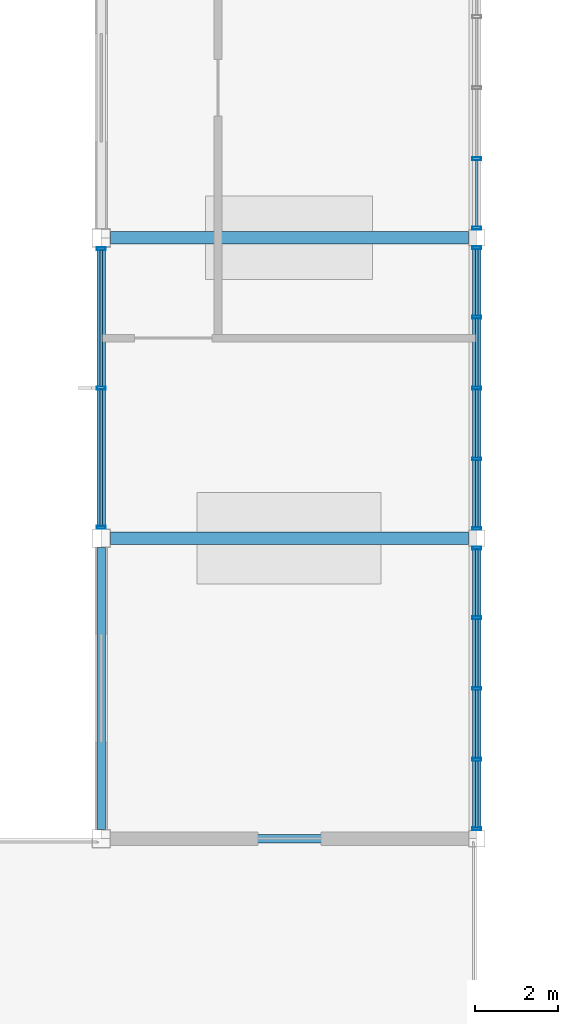
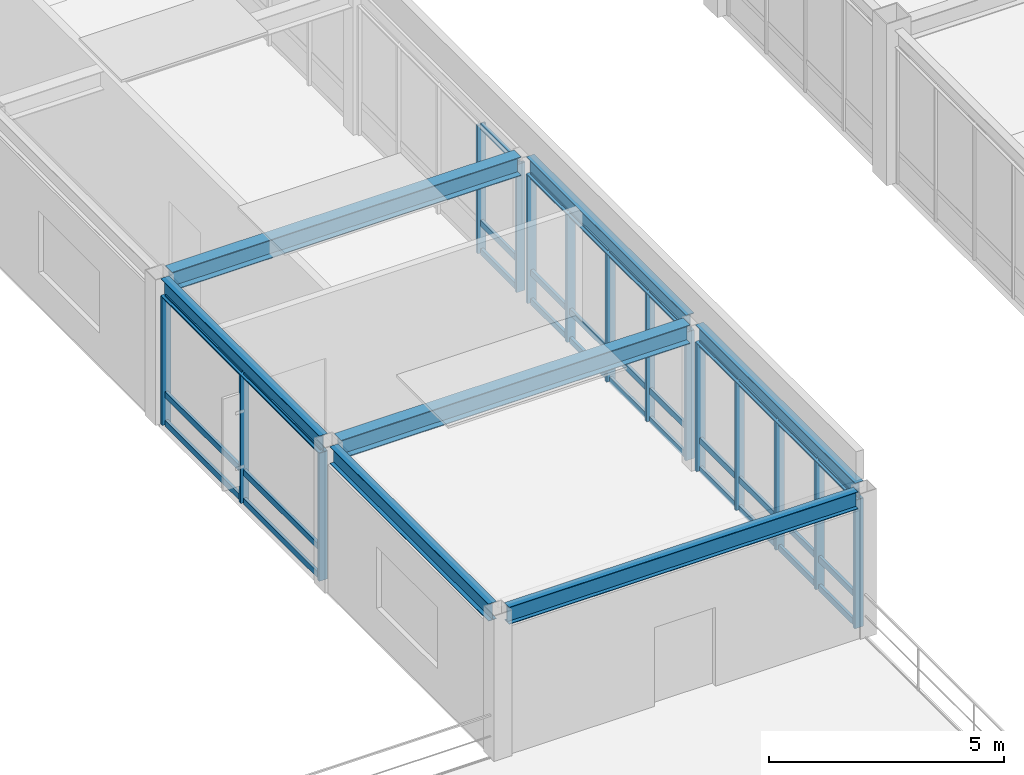
# One storey, part 29 of 106: 48 members, 7 beams, 4 elements without a shape of their own.
"""IFC4 building model written with IfcOpenShell, lengths in metres."""

from ifc_helpers import new_model, si_unit, direction, frame, origin, origin_2d, place, context, subcontext, project, spatial, hollow_rectangle, i_section, extrude, material, material_profile, profile_set, type_object, element, aggregate, save


model = new_model("IFC4")

# Units and contexts
model_context = context("Model", 3, precision=1e-05, world=origin(), true_north=direction((0.0, 1.0)))
body_context = subcontext(model_context, "Body", "Model", "MODEL_VIEW")
ifc_project = project(units=[si_unit("LENGTHUNIT", "METRE"), si_unit("AREAUNIT", "SQUARE_METRE"), si_unit("VOLUMEUNIT", "CUBIC_METRE"), si_unit("PLANEANGLEUNIT", "RADIAN"), si_unit("MASSUNIT", "GRAM", prefix="KILO")], contexts=[model_context])

# Site, building, storey
site_placement = place(None, origin())
site = spatial("IfcSite", under=ifc_project, at=site_placement, CompositionType="ELEMENT")
building_placement = place(site_placement, origin())
building = spatial("IfcBuilding", under=site, at=building_placement, Name="Kazanami Central Library", CompositionType="ELEMENT")
storey_placement = place(building_placement, frame((0.0, 0.0, 12.800048828125)))
storey = spatial("IfcBuildingStorey", under=building, at=storey_placement, Name="L04", CompositionType="ELEMENT", Elevation=12.800048828125)

# Beams
ifc_material_1 = material(Name="Steel SN490B (325 MPa)", Category="steel")
ifc_material_profile_1 = material_profile(ifc_material_1, i_section(OverallWidth=0.300048828125, OverallDepth=0.488037109375, WebThickness=0.010986328125, FlangeThickness=0.01806640625, at=origin_2d()), Name="H-488x300x11x18")
ifc_profile_set_1 = profile_set([ifc_material_profile_1], Name="Steel SN490B (325 MPa)")
beam_type_1 = type_object("IfcBeamType", Name="BM-G-X5", PredefinedType="BEAM", material=ifc_profile_set_1)
for number, where, z_axis, x_axis, name in (
    (1, (99.222900390625, 43.199951171875, 3.535888671875), (1.0, 0.0, 0.0), (0.0, 1.0, 0.0), "Girder G-X5 L04 G/12-13"),
    (2, (99.222900390625, 50.39990234375, 3.535888671875), (1.0, 0.0, 0.0), (0.0, 1.0, 0.0), "Girder G-X5 L04 H/12-13"),
):
    element("IfcBeam", number, at=place(storey_placement, frame(where, z_axis=z_axis, x_axis=x_axis)), inside=storey, type_object=beam_type_1, Name=name, PredefinedType="BEAM", context=body_context, shape_type="SweptSolid", body=[
        extrude(i_section(OverallWidth=0.300048828125, OverallDepth=0.488037109375, WebThickness=0.010986328125, FlangeThickness=0.01806640625, at=origin_2d()), origin(), (0.0, 0.0, 1.0), 8.5791015625),
    ])
ifc_material_profile_2 = material_profile(ifc_material_1, i_section(OverallWidth=0.199951171875, OverallDepth=0.449951171875, WebThickness=0.009033203125, FlangeThickness=0.013916015625, at=origin_2d()), Name="H-450x200x9x14")
ifc_profile_set_2 = profile_set([ifc_material_profile_2], Name="Steel SN490B (325 MPa)")
beam_type_2 = type_object("IfcBeamType", Name="BM-SP-2", PredefinedType="SPANDREL", material=ifc_profile_set_2)
beam_1_placement = place(storey_placement, frame((99.222900390625, 36.0, 3.554931640625), z_axis=(1.0, 0.0, 0.0), x_axis=(0.0, 1.0, 0.0)))
element("IfcBeam", 3, at=beam_1_placement, inside=storey, type_object=beam_type_2, Name="Girder SP-2 L04 F/12-13", PredefinedType="SPANDREL", context=body_context, shape_type="SweptSolid", body=[
    extrude(i_section(OverallWidth=0.199951171875, OverallDepth=0.449951171875, WebThickness=0.009033203125, FlangeThickness=0.013916015625, at=origin_2d()), origin(), (0.0, 0.0, 1.0), 8.5791015625),
])
beam_2_placement = place(storey_placement, frame((99.0, 36.222900390625, 3.554931640625), z_axis=(0.0, 1.0, 0.0), x_axis=(-1.0, 0.0, 0.0)))
element("IfcBeam", 4, at=beam_2_placement, inside=storey, type_object=beam_type_2, Name="Girder SP-2 L04 12/F-G", PredefinedType="SPANDREL", context=body_context, shape_type="SweptSolid", body=[
    extrude(i_section(OverallWidth=0.199951171875, OverallDepth=0.449951171875, WebThickness=0.009033203125, FlangeThickness=0.013916015625, at=origin_2d()), origin(), (0.0, 0.0, 1.0), 6.754150390625),
])
beam_3_placement = place(storey_placement, frame((99.0, 43.423095703125, 3.554931640625), z_axis=(0.0, 1.0, 0.0), x_axis=(-1.0, 0.0, 0.0)))
element("IfcBeam", 5, at=beam_3_placement, inside=storey, type_object=beam_type_2, Name="Girder SP-2 L04 12/G-H", PredefinedType="SPANDREL", context=body_context, shape_type="SweptSolid", body=[
    extrude(i_section(OverallWidth=0.199951171875, OverallDepth=0.449951171875, WebThickness=0.009033203125, FlangeThickness=0.013916015625, at=origin_2d()), origin(), (0.0, 0.0, 1.0), 6.75390625),
])
for number, where, z_axis, x_axis, name in (
    (6, (108.0, 36.197998046875, 3.554931640625), (0.0, 1.0, 0.0), (-1.0, 0.0, 0.0), "Girder SP-2 L04 13/F-G"),
    (7, (108.0, 43.39794921875, 3.554931640625), (0.0, 1.0, 0.0), (-1.0, 0.0, 0.0), "Girder SP-2 L04 13/G-H"),
):
    element("IfcBeam", number, at=place(storey_placement, frame(where, z_axis=z_axis, x_axis=x_axis)), inside=storey, type_object=beam_type_2, Name=name, PredefinedType="SPANDREL", context=body_context, shape_type="SweptSolid", body=[
        extrude(i_section(OverallWidth=0.199951171875, OverallDepth=0.449951171875, WebThickness=0.009033203125, FlangeThickness=0.013916015625, at=origin_2d()), origin(), (0.0, 0.0, 1.0), 6.803955078125),
    ])

# Curtain wall, members
ifc_material_2 = material(Name="Acid-Etched Low-E Laminated Glass", Category="glass")
curtain_wall_type_1 = type_object("IfcCurtainWallType", Name="CW-6750x3330-M275", PredefinedType="USERDEFINED", material=ifc_material_2)
curtain_wall_1_placement = place(storey_placement, origin())
curtain_wall_1 = element("IfcCurtainWall", 8, at=curtain_wall_1_placement, inside=storey, type_object=curtain_wall_type_1, Name="Unitised Curtain Wall CW-45 L04 W-12-06", ObjectType="UNITISED CURTAIN WALL", PredefinedType="USERDEFINED")
ifc_material_3 = material(Name="Anodised Aluminium A6063-T5", Category="aluminium")
ifc_material_profile_3 = material_profile(ifc_material_3, hollow_rectangle(XDim=0.070068359375, YDim=0.2099609375, WallThickness=0.0048828125, at=origin_2d()), Name="ALU-MULL-70x210x5")
ifc_profile_set_3 = profile_set([ifc_material_profile_3], Name="Anodised Aluminium A6063-T5")
member_type_1 = type_object("IfcMemberType", Name="MEM-CW-M1", PredefinedType="MULLION", material=ifc_profile_set_3)
member_1_placement = place(storey_placement, frame((99.0, 43.4599609375, 0.0), z_axis=(0.0, 0.0, 1.0), x_axis=(0.0, 1.0, 0.0)))
member_1 = element("IfcMember", 9, at=member_1_placement, type_object=member_type_1, Name="CW-45 mullion 1", PredefinedType="MULLION", context=body_context, shape_type="SweptSolid", body=[
    extrude(hollow_rectangle(XDim=0.070068359375, YDim=0.2099609375, WallThickness=0.0048828125, at=origin_2d()), origin(), (0.0, 0.0, 1.0), 3.329833984375),
])
member_2_placement = place(storey_placement, frame((99.0, 46.800048828125, 0.0), z_axis=(0.0, 0.0, 1.0), x_axis=(0.0, 1.0, 0.0)))
member_2 = element("IfcMember", 10, at=member_2_placement, type_object=member_type_1, Name="CW-45 mullion 2", PredefinedType="MULLION", context=body_context, shape_type="SweptSolid", body=[
    extrude(hollow_rectangle(XDim=0.070068359375, YDim=0.2099609375, WallThickness=0.0048828125, at=origin_2d()), origin(), (0.0, 0.0, 1.0), 3.329833984375),
])
member_3_placement = place(storey_placement, frame((99.0, 50.139892578125, 0.0), z_axis=(0.0, 0.0, 1.0), x_axis=(0.0, 1.0, 0.0)))
member_3 = element("IfcMember", 11, at=member_3_placement, type_object=member_type_1, Name="CW-45 mullion 3", PredefinedType="MULLION", context=body_context, shape_type="SweptSolid", body=[
    extrude(hollow_rectangle(XDim=0.070068359375, YDim=0.2099609375, WallThickness=0.0048828125, at=origin_2d()), origin(), (0.0, 0.0, 1.0), 3.329833984375),
])

curtain_wall_type_2 = type_object("IfcCurtainWallType", Name="CW-6800x3330-M180", PredefinedType="USERDEFINED", material=ifc_material_2)
curtain_wall_2_placement = place(storey_placement, origin())
curtain_wall_2 = element("IfcCurtainWall", 12, at=curtain_wall_2_placement, inside=storey, type_object=curtain_wall_type_2, Name="Covered Link Bridge Curtain Wall CW-44 L04 E-13-05", ObjectType="UNITISED CURTAIN WALL", PredefinedType="USERDEFINED")
member_4_placement = place(storey_placement, frame((108.0, 42.965087890625, 0.0), z_axis=(0.0, 0.0, 1.0), x_axis=(0.0, -1.0, 0.0)))
member_4 = element("IfcMember", 13, at=member_4_placement, type_object=member_type_1, Name="CW-44 mullion 1", PredefinedType="MULLION", context=body_context, shape_type="SweptSolid", body=[
    extrude(hollow_rectangle(XDim=0.070068359375, YDim=0.2099609375, WallThickness=0.0048828125, at=origin_2d()), origin(), (0.0, 0.0, 1.0), 3.329833984375),
])
member_5_placement = place(storey_placement, frame((108.0, 41.300048828125, 0.0), z_axis=(0.0, 0.0, 1.0), x_axis=(0.0, -1.0, 0.0)))
member_5 = element("IfcMember", 14, at=member_5_placement, type_object=member_type_1, Name="CW-44 mullion 2", PredefinedType="MULLION", context=body_context, shape_type="SweptSolid", body=[
    extrude(hollow_rectangle(XDim=0.070068359375, YDim=0.2099609375, WallThickness=0.0048828125, at=origin_2d()), origin(), (0.0, 0.0, 1.0), 3.329833984375),
])
member_6_placement = place(storey_placement, frame((108.0, 39.60009765625, 0.0), z_axis=(0.0, 0.0, 1.0), x_axis=(0.0, -1.0, 0.0)))
member_6 = element("IfcMember", 15, at=member_6_placement, type_object=member_type_1, Name="CW-44 mullion 3", PredefinedType="MULLION", context=body_context, shape_type="SweptSolid", body=[
    extrude(hollow_rectangle(XDim=0.070068359375, YDim=0.2099609375, WallThickness=0.0048828125, at=origin_2d()), origin(), (0.0, 0.0, 1.0), 3.329833984375),
])
member_7_placement = place(storey_placement, frame((108.0, 37.89990234375, 0.0), z_axis=(0.0, 0.0, 1.0), x_axis=(0.0, -1.0, 0.0)))
member_7 = element("IfcMember", 16, at=member_7_placement, type_object=member_type_1, Name="CW-44 mullion 4", PredefinedType="MULLION", context=body_context, shape_type="SweptSolid", body=[
    extrude(hollow_rectangle(XDim=0.070068359375, YDim=0.2099609375, WallThickness=0.0048828125, at=origin_2d()), origin(), (0.0, 0.0, 1.0), 3.329833984375),
])
member_8_placement = place(storey_placement, frame((108.0, 36.235107421875, 0.0), z_axis=(0.0, 0.0, 1.0), x_axis=(0.0, -1.0, 0.0)))
member_8 = element("IfcMember", 17, at=member_8_placement, type_object=member_type_1, Name="CW-44 mullion 5", PredefinedType="MULLION", context=body_context, shape_type="SweptSolid", body=[
    extrude(hollow_rectangle(XDim=0.070068359375, YDim=0.2099609375, WallThickness=0.0048828125, at=origin_2d()), origin(), (0.0, 0.0, 1.0), 3.329833984375),
])

curtain_wall_3_placement = place(storey_placement, origin())
curtain_wall_3 = element("IfcCurtainWall", 18, at=curtain_wall_3_placement, inside=storey, type_object=curtain_wall_type_2, Name="Covered Link Bridge Curtain Wall CW-44 L04 E-13-06", ObjectType="UNITISED CURTAIN WALL", PredefinedType="USERDEFINED")
member_9_placement = place(storey_placement, frame((108.0, 50.1650390625, 0.0), z_axis=(0.0, 0.0, 1.0), x_axis=(0.0, -1.0, 0.0)))
member_9 = element("IfcMember", 19, at=member_9_placement, type_object=member_type_1, Name="CW-44 mullion 1", PredefinedType="MULLION", context=body_context, shape_type="SweptSolid", body=[
    extrude(hollow_rectangle(XDim=0.070068359375, YDim=0.2099609375, WallThickness=0.0048828125, at=origin_2d()), origin(), (0.0, 0.0, 1.0), 3.329833984375),
])
member_10_placement = place(storey_placement, frame((108.0, 48.5, 0.0), z_axis=(0.0, 0.0, 1.0), x_axis=(0.0, -1.0, 0.0)))
member_10 = element("IfcMember", 20, at=member_10_placement, type_object=member_type_1, Name="CW-44 mullion 2", PredefinedType="MULLION", context=body_context, shape_type="SweptSolid", body=[
    extrude(hollow_rectangle(XDim=0.070068359375, YDim=0.2099609375, WallThickness=0.0048828125, at=origin_2d()), origin(), (0.0, 0.0, 1.0), 3.329833984375),
])
member_11_placement = place(storey_placement, frame((108.0, 46.800048828125, 0.0), z_axis=(0.0, 0.0, 1.0), x_axis=(0.0, -1.0, 0.0)))
member_11 = element("IfcMember", 21, at=member_11_placement, type_object=member_type_1, Name="CW-44 mullion 3", PredefinedType="MULLION", context=body_context, shape_type="SweptSolid", body=[
    extrude(hollow_rectangle(XDim=0.070068359375, YDim=0.2099609375, WallThickness=0.0048828125, at=origin_2d()), origin(), (0.0, 0.0, 1.0), 3.329833984375),
])
member_12_placement = place(storey_placement, frame((108.0, 45.10009765625, 0.0), z_axis=(0.0, 0.0, 1.0), x_axis=(0.0, -1.0, 0.0)))
member_12 = element("IfcMember", 22, at=member_12_placement, type_object=member_type_1, Name="CW-44 mullion 4", PredefinedType="MULLION", context=body_context, shape_type="SweptSolid", body=[
    extrude(hollow_rectangle(XDim=0.070068359375, YDim=0.2099609375, WallThickness=0.0048828125, at=origin_2d()), origin(), (0.0, 0.0, 1.0), 3.329833984375),
])
member_13_placement = place(storey_placement, frame((108.0, 43.43505859375, 0.0), z_axis=(0.0, 0.0, 1.0), x_axis=(0.0, -1.0, 0.0)))
member_13 = element("IfcMember", 23, at=member_13_placement, type_object=member_type_1, Name="CW-44 mullion 5", PredefinedType="MULLION", context=body_context, shape_type="SweptSolid", body=[
    extrude(hollow_rectangle(XDim=0.070068359375, YDim=0.2099609375, WallThickness=0.0048828125, at=origin_2d()), origin(), (0.0, 0.0, 1.0), 3.329833984375),
])

curtain_wall_4_placement = place(storey_placement, origin())
curtain_wall_4 = element("IfcCurtainWall", 24, at=curtain_wall_4_placement, inside=storey, type_object=curtain_wall_type_2, Name="Covered Link Bridge Curtain Wall CW-44 L04 E-13-07", ObjectType="UNITISED CURTAIN WALL", PredefinedType="USERDEFINED")
member_14_placement = place(storey_placement, frame((108.0, 52.300048828125, 0.0), z_axis=(0.0, 0.0, 1.0), x_axis=(0.0, -1.0, 0.0)))
member_14 = element("IfcMember", 25, at=member_14_placement, type_object=member_type_1, Name="CW-44 mullion 4", PredefinedType="MULLION", context=body_context, shape_type="SweptSolid", body=[
    extrude(hollow_rectangle(XDim=0.070068359375, YDim=0.2099609375, WallThickness=0.0048828125, at=origin_2d()), origin(), (0.0, 0.0, 1.0), 3.329833984375),
])
member_15_placement = place(storey_placement, frame((108.0, 50.635009765625, 0.0), z_axis=(0.0, 0.0, 1.0), x_axis=(0.0, -1.0, 0.0)))
member_15 = element("IfcMember", 26, at=member_15_placement, type_object=member_type_1, Name="CW-44 mullion 5", PredefinedType="MULLION", context=body_context, shape_type="SweptSolid", body=[
    extrude(hollow_rectangle(XDim=0.070068359375, YDim=0.2099609375, WallThickness=0.0048828125, at=origin_2d()), origin(), (0.0, 0.0, 1.0), 3.329833984375),
])

# Member
ifc_material_profile_4 = material_profile(ifc_material_3, hollow_rectangle(XDim=0.070068359375, YDim=0.159912109375, WallThickness=0.00390625, at=origin_2d()), Name="ALU-TRAN-70x160x4")
ifc_profile_set_4 = profile_set([ifc_material_profile_4], Name="Anodised Aluminium A6063-T5")
member_type_2 = type_object("IfcMemberType", Name="MEM-CW-T1", PredefinedType="USERDEFINED", material=ifc_profile_set_4)
member_16_placement = place(storey_placement, frame((99.0, 43.4951171875, 0.034912109375), z_axis=(0.0, 1.0, 0.0), x_axis=(-1.0, 0.0, 0.0)))
member_16 = element("IfcMember", 27, at=member_16_placement, type_object=member_type_2, Name="CW-45 transom 1.1", ObjectType="TRANSOM", PredefinedType="USERDEFINED", context=body_context, shape_type="SweptSolid", body=[
    extrude(hollow_rectangle(XDim=0.070068359375, YDim=0.159912109375, WallThickness=0.00390625, at=origin_2d()), origin(), (0.0, 0.0, 1.0), 3.269775390625),
])

member_17_placement = place(storey_placement, frame((99.0, 43.4951171875, 0.780029296875), z_axis=(0.0, 1.0, 0.0), x_axis=(-1.0, 0.0, 0.0)))
member_17 = element("IfcMember", 28, at=member_17_placement, type_object=member_type_2, Name="CW-45 transom 1.2", ObjectType="TRANSOM", PredefinedType="USERDEFINED", context=body_context, shape_type="SweptSolid", body=[
    extrude(hollow_rectangle(XDim=0.070068359375, YDim=0.159912109375, WallThickness=0.00390625, at=origin_2d()), origin(), (0.0, 0.0, 1.0), 3.269775390625),
])

member_18_placement = place(storey_placement, frame((99.0, 43.4951171875, 3.294921875), z_axis=(0.0, 1.0, 0.0), x_axis=(-1.0, 0.0, 0.0)))
member_18 = element("IfcMember", 29, at=member_18_placement, type_object=member_type_2, Name="CW-45 transom 1.3", ObjectType="TRANSOM", PredefinedType="USERDEFINED", context=body_context, shape_type="SweptSolid", body=[
    extrude(hollow_rectangle(XDim=0.070068359375, YDim=0.159912109375, WallThickness=0.00390625, at=origin_2d()), origin(), (0.0, 0.0, 1.0), 3.269775390625),
])

member_19_placement = place(storey_placement, frame((99.0, 46.8349609375, 0.034912109375), z_axis=(0.0, 1.0, 0.0), x_axis=(-1.0, 0.0, 0.0)))
member_19 = element("IfcMember", 30, at=member_19_placement, type_object=member_type_2, Name="CW-45 transom 2.1", ObjectType="TRANSOM", PredefinedType="USERDEFINED", context=body_context, shape_type="SweptSolid", body=[
    extrude(hollow_rectangle(XDim=0.070068359375, YDim=0.159912109375, WallThickness=0.00390625, at=origin_2d()), origin(), (0.0, 0.0, 1.0), 3.27001953125),
])

member_20_placement = place(storey_placement, frame((99.0, 46.8349609375, 0.780029296875), z_axis=(0.0, 1.0, 0.0), x_axis=(-1.0, 0.0, 0.0)))
member_20 = element("IfcMember", 31, at=member_20_placement, type_object=member_type_2, Name="CW-45 transom 2.2", ObjectType="TRANSOM", PredefinedType="USERDEFINED", context=body_context, shape_type="SweptSolid", body=[
    extrude(hollow_rectangle(XDim=0.070068359375, YDim=0.159912109375, WallThickness=0.00390625, at=origin_2d()), origin(), (0.0, 0.0, 1.0), 3.27001953125),
])

member_21_placement = place(storey_placement, frame((99.0, 46.8349609375, 3.294921875), z_axis=(0.0, 1.0, 0.0), x_axis=(-1.0, 0.0, 0.0)))
member_21 = element("IfcMember", 32, at=member_21_placement, type_object=member_type_2, Name="CW-45 transom 2.3", ObjectType="TRANSOM", PredefinedType="USERDEFINED", context=body_context, shape_type="SweptSolid", body=[
    extrude(hollow_rectangle(XDim=0.070068359375, YDim=0.159912109375, WallThickness=0.00390625, at=origin_2d()), origin(), (0.0, 0.0, 1.0), 3.27001953125),
])

aggregate(curtain_wall_1, [member_1, member_2, member_3, member_16, member_17, member_18, member_19, member_20, member_21])

member_22_placement = place(storey_placement, frame((108.0, 42.929931640625, 0.034912109375), z_axis=(0.0, -1.0, 0.0), x_axis=(1.0, 0.0, 0.0)))
member_22 = element("IfcMember", 33, at=member_22_placement, type_object=member_type_2, Name="CW-44 transom 1.1", ObjectType="TRANSOM", PredefinedType="USERDEFINED", context=body_context, shape_type="SweptSolid", body=[
    extrude(hollow_rectangle(XDim=0.070068359375, YDim=0.159912109375, WallThickness=0.00390625, at=origin_2d()), origin(), (0.0, 0.0, 1.0), 1.594970703125),
])

member_23_placement = place(storey_placement, frame((108.0, 42.929931640625, 0.780029296875), z_axis=(0.0, -1.0, 0.0), x_axis=(1.0, 0.0, 0.0)))
member_23 = element("IfcMember", 34, at=member_23_placement, type_object=member_type_2, Name="CW-44 transom 1.2", ObjectType="TRANSOM", PredefinedType="USERDEFINED", context=body_context, shape_type="SweptSolid", body=[
    extrude(hollow_rectangle(XDim=0.070068359375, YDim=0.159912109375, WallThickness=0.00390625, at=origin_2d()), origin(), (0.0, 0.0, 1.0), 1.594970703125),
])

member_24_placement = place(storey_placement, frame((108.0, 42.929931640625, 3.294921875), z_axis=(0.0, -1.0, 0.0), x_axis=(1.0, 0.0, 0.0)))
member_24 = element("IfcMember", 35, at=member_24_placement, type_object=member_type_2, Name="CW-44 transom 1.3", ObjectType="TRANSOM", PredefinedType="USERDEFINED", context=body_context, shape_type="SweptSolid", body=[
    extrude(hollow_rectangle(XDim=0.070068359375, YDim=0.159912109375, WallThickness=0.00390625, at=origin_2d()), origin(), (0.0, 0.0, 1.0), 1.594970703125),
])

member_25_placement = place(storey_placement, frame((108.0, 41.264892578125, 0.034912109375), z_axis=(0.0, -1.0, 0.0), x_axis=(1.0, 0.0, 0.0)))
member_25 = element("IfcMember", 36, at=member_25_placement, type_object=member_type_2, Name="CW-44 transom 2.1", ObjectType="TRANSOM", PredefinedType="USERDEFINED", context=body_context, shape_type="SweptSolid", body=[
    extrude(hollow_rectangle(XDim=0.070068359375, YDim=0.159912109375, WallThickness=0.00390625, at=origin_2d()), origin(), (0.0, 0.0, 1.0), 1.6298828125),
])

member_26_placement = place(storey_placement, frame((108.0, 41.264892578125, 0.780029296875), z_axis=(0.0, -1.0, 0.0), x_axis=(1.0, 0.0, 0.0)))
member_26 = element("IfcMember", 37, at=member_26_placement, type_object=member_type_2, Name="CW-44 transom 2.2", ObjectType="TRANSOM", PredefinedType="USERDEFINED", context=body_context, shape_type="SweptSolid", body=[
    extrude(hollow_rectangle(XDim=0.070068359375, YDim=0.159912109375, WallThickness=0.00390625, at=origin_2d()), origin(), (0.0, 0.0, 1.0), 1.6298828125),
])

member_27_placement = place(storey_placement, frame((108.0, 41.264892578125, 3.294921875), z_axis=(0.0, -1.0, 0.0), x_axis=(1.0, 0.0, 0.0)))
member_27 = element("IfcMember", 38, at=member_27_placement, type_object=member_type_2, Name="CW-44 transom 2.3", ObjectType="TRANSOM", PredefinedType="USERDEFINED", context=body_context, shape_type="SweptSolid", body=[
    extrude(hollow_rectangle(XDim=0.070068359375, YDim=0.159912109375, WallThickness=0.00390625, at=origin_2d()), origin(), (0.0, 0.0, 1.0), 1.6298828125),
])

member_28_placement = place(storey_placement, frame((108.0, 39.56494140625, 0.034912109375), z_axis=(0.0, -1.0, 0.0), x_axis=(1.0, 0.0, 0.0)))
member_28 = element("IfcMember", 39, at=member_28_placement, type_object=member_type_2, Name="CW-44 transom 3.1", ObjectType="TRANSOM", PredefinedType="USERDEFINED", context=body_context, shape_type="SweptSolid", body=[
    extrude(hollow_rectangle(XDim=0.070068359375, YDim=0.159912109375, WallThickness=0.00390625, at=origin_2d()), origin(), (0.0, 0.0, 1.0), 1.6298828125),
])

member_29_placement = place(storey_placement, frame((108.0, 39.56494140625, 0.780029296875), z_axis=(0.0, -1.0, 0.0), x_axis=(1.0, 0.0, 0.0)))
member_29 = element("IfcMember", 40, at=member_29_placement, type_object=member_type_2, Name="CW-44 transom 3.2", ObjectType="TRANSOM", PredefinedType="USERDEFINED", context=body_context, shape_type="SweptSolid", body=[
    extrude(hollow_rectangle(XDim=0.070068359375, YDim=0.159912109375, WallThickness=0.00390625, at=origin_2d()), origin(), (0.0, 0.0, 1.0), 1.6298828125),
])

member_30_placement = place(storey_placement, frame((108.0, 39.56494140625, 3.294921875), z_axis=(0.0, -1.0, 0.0), x_axis=(1.0, 0.0, 0.0)))
member_30 = element("IfcMember", 41, at=member_30_placement, type_object=member_type_2, Name="CW-44 transom 3.3", ObjectType="TRANSOM", PredefinedType="USERDEFINED", context=body_context, shape_type="SweptSolid", body=[
    extrude(hollow_rectangle(XDim=0.070068359375, YDim=0.159912109375, WallThickness=0.00390625, at=origin_2d()), origin(), (0.0, 0.0, 1.0), 1.6298828125),
])

member_31_placement = place(storey_placement, frame((108.0, 37.864990234375, 0.034912109375), z_axis=(0.0, -1.0, 0.0), x_axis=(1.0, 0.0, 0.0)))
member_31 = element("IfcMember", 42, at=member_31_placement, type_object=member_type_2, Name="CW-44 transom 4.1", ObjectType="TRANSOM", PredefinedType="USERDEFINED", context=body_context, shape_type="SweptSolid", body=[
    extrude(hollow_rectangle(XDim=0.070068359375, YDim=0.159912109375, WallThickness=0.00390625, at=origin_2d()), origin(), (0.0, 0.0, 1.0), 1.594970703125),
])

member_32_placement = place(storey_placement, frame((108.0, 37.864990234375, 0.780029296875), z_axis=(0.0, -1.0, 0.0), x_axis=(1.0, 0.0, 0.0)))
member_32 = element("IfcMember", 43, at=member_32_placement, type_object=member_type_2, Name="CW-44 transom 4.2", ObjectType="TRANSOM", PredefinedType="USERDEFINED", context=body_context, shape_type="SweptSolid", body=[
    extrude(hollow_rectangle(XDim=0.070068359375, YDim=0.159912109375, WallThickness=0.00390625, at=origin_2d()), origin(), (0.0, 0.0, 1.0), 1.594970703125),
])

member_33_placement = place(storey_placement, frame((108.0, 37.864990234375, 3.294921875), z_axis=(0.0, -1.0, 0.0), x_axis=(1.0, 0.0, 0.0)))
member_33 = element("IfcMember", 44, at=member_33_placement, type_object=member_type_2, Name="CW-44 transom 4.3", ObjectType="TRANSOM", PredefinedType="USERDEFINED", context=body_context, shape_type="SweptSolid", body=[
    extrude(hollow_rectangle(XDim=0.070068359375, YDim=0.159912109375, WallThickness=0.00390625, at=origin_2d()), origin(), (0.0, 0.0, 1.0), 1.594970703125),
])

aggregate(curtain_wall_2, [member_4, member_5, member_6, member_7, member_8, member_22, member_23, member_24, member_25, member_26, member_27, member_28, member_29, member_30, member_31, member_32, member_33])

member_34_placement = place(storey_placement, frame((108.0, 50.1298828125, 0.034912109375), z_axis=(0.0, -1.0, 0.0), x_axis=(1.0, 0.0, 0.0)))
member_34 = element("IfcMember", 45, at=member_34_placement, type_object=member_type_2, Name="CW-44 transom 1.1", ObjectType="TRANSOM", PredefinedType="USERDEFINED", context=body_context, shape_type="SweptSolid", body=[
    extrude(hollow_rectangle(XDim=0.070068359375, YDim=0.159912109375, WallThickness=0.00390625, at=origin_2d()), origin(), (0.0, 0.0, 1.0), 1.594970703125),
])

member_35_placement = place(storey_placement, frame((108.0, 50.1298828125, 0.780029296875), z_axis=(0.0, -1.0, 0.0), x_axis=(1.0, 0.0, 0.0)))
member_35 = element("IfcMember", 46, at=member_35_placement, type_object=member_type_2, Name="CW-44 transom 1.2", ObjectType="TRANSOM", PredefinedType="USERDEFINED", context=body_context, shape_type="SweptSolid", body=[
    extrude(hollow_rectangle(XDim=0.070068359375, YDim=0.159912109375, WallThickness=0.00390625, at=origin_2d()), origin(), (0.0, 0.0, 1.0), 1.594970703125),
])

member_36_placement = place(storey_placement, frame((108.0, 50.1298828125, 3.294921875), z_axis=(0.0, -1.0, 0.0), x_axis=(1.0, 0.0, 0.0)))
member_36 = element("IfcMember", 47, at=member_36_placement, type_object=member_type_2, Name="CW-44 transom 1.3", ObjectType="TRANSOM", PredefinedType="USERDEFINED", context=body_context, shape_type="SweptSolid", body=[
    extrude(hollow_rectangle(XDim=0.070068359375, YDim=0.159912109375, WallThickness=0.00390625, at=origin_2d()), origin(), (0.0, 0.0, 1.0), 1.594970703125),
])

member_37_placement = place(storey_placement, frame((108.0, 48.465087890625, 0.034912109375), z_axis=(0.0, -1.0, 0.0), x_axis=(1.0, 0.0, 0.0)))
member_37 = element("IfcMember", 48, at=member_37_placement, type_object=member_type_2, Name="CW-44 transom 2.1", ObjectType="TRANSOM", PredefinedType="USERDEFINED", context=body_context, shape_type="SweptSolid", body=[
    extrude(hollow_rectangle(XDim=0.070068359375, YDim=0.159912109375, WallThickness=0.00390625, at=origin_2d()), origin(), (0.0, 0.0, 1.0), 1.630126953125),
])

member_38_placement = place(storey_placement, frame((108.0, 48.465087890625, 0.780029296875), z_axis=(0.0, -1.0, 0.0), x_axis=(1.0, 0.0, 0.0)))
member_38 = element("IfcMember", 49, at=member_38_placement, type_object=member_type_2, Name="CW-44 transom 2.2", ObjectType="TRANSOM", PredefinedType="USERDEFINED", context=body_context, shape_type="SweptSolid", body=[
    extrude(hollow_rectangle(XDim=0.070068359375, YDim=0.159912109375, WallThickness=0.00390625, at=origin_2d()), origin(), (0.0, 0.0, 1.0), 1.630126953125),
])

member_39_placement = place(storey_placement, frame((108.0, 48.465087890625, 3.294921875), z_axis=(0.0, -1.0, 0.0), x_axis=(1.0, 0.0, 0.0)))
member_39 = element("IfcMember", 50, at=member_39_placement, type_object=member_type_2, Name="CW-44 transom 2.3", ObjectType="TRANSOM", PredefinedType="USERDEFINED", context=body_context, shape_type="SweptSolid", body=[
    extrude(hollow_rectangle(XDim=0.070068359375, YDim=0.159912109375, WallThickness=0.00390625, at=origin_2d()), origin(), (0.0, 0.0, 1.0), 1.630126953125),
])

member_40_placement = place(storey_placement, frame((108.0, 46.764892578125, 0.034912109375), z_axis=(0.0, -1.0, 0.0), x_axis=(1.0, 0.0, 0.0)))
member_40 = element("IfcMember", 51, at=member_40_placement, type_object=member_type_2, Name="CW-44 transom 3.1", ObjectType="TRANSOM", PredefinedType="USERDEFINED", context=body_context, shape_type="SweptSolid", body=[
    extrude(hollow_rectangle(XDim=0.070068359375, YDim=0.159912109375, WallThickness=0.00390625, at=origin_2d()), origin(), (0.0, 0.0, 1.0), 1.6298828125),
])

member_41_placement = place(storey_placement, frame((108.0, 46.764892578125, 0.780029296875), z_axis=(0.0, -1.0, 0.0), x_axis=(1.0, 0.0, 0.0)))
member_41 = element("IfcMember", 52, at=member_41_placement, type_object=member_type_2, Name="CW-44 transom 3.2", ObjectType="TRANSOM", PredefinedType="USERDEFINED", context=body_context, shape_type="SweptSolid", body=[
    extrude(hollow_rectangle(XDim=0.070068359375, YDim=0.159912109375, WallThickness=0.00390625, at=origin_2d()), origin(), (0.0, 0.0, 1.0), 1.6298828125),
])

member_42_placement = place(storey_placement, frame((108.0, 46.764892578125, 3.294921875), z_axis=(0.0, -1.0, 0.0), x_axis=(1.0, 0.0, 0.0)))
member_42 = element("IfcMember", 53, at=member_42_placement, type_object=member_type_2, Name="CW-44 transom 3.3", ObjectType="TRANSOM", PredefinedType="USERDEFINED", context=body_context, shape_type="SweptSolid", body=[
    extrude(hollow_rectangle(XDim=0.070068359375, YDim=0.159912109375, WallThickness=0.00390625, at=origin_2d()), origin(), (0.0, 0.0, 1.0), 1.6298828125),
])

member_43_placement = place(storey_placement, frame((108.0, 45.06494140625, 0.034912109375), z_axis=(0.0, -1.0, 0.0), x_axis=(1.0, 0.0, 0.0)))
member_43 = element("IfcMember", 54, at=member_43_placement, type_object=member_type_2, Name="CW-44 transom 4.1", ObjectType="TRANSOM", PredefinedType="USERDEFINED", context=body_context, shape_type="SweptSolid", body=[
    extrude(hollow_rectangle(XDim=0.070068359375, YDim=0.159912109375, WallThickness=0.00390625, at=origin_2d()), origin(), (0.0, 0.0, 1.0), 1.594970703125),
])

member_44_placement = place(storey_placement, frame((108.0, 45.06494140625, 0.780029296875), z_axis=(0.0, -1.0, 0.0), x_axis=(1.0, 0.0, 0.0)))
member_44 = element("IfcMember", 55, at=member_44_placement, type_object=member_type_2, Name="CW-44 transom 4.2", ObjectType="TRANSOM", PredefinedType="USERDEFINED", context=body_context, shape_type="SweptSolid", body=[
    extrude(hollow_rectangle(XDim=0.070068359375, YDim=0.159912109375, WallThickness=0.00390625, at=origin_2d()), origin(), (0.0, 0.0, 1.0), 1.594970703125),
])

member_45_placement = place(storey_placement, frame((108.0, 45.06494140625, 3.294921875), z_axis=(0.0, -1.0, 0.0), x_axis=(1.0, 0.0, 0.0)))
member_45 = element("IfcMember", 56, at=member_45_placement, type_object=member_type_2, Name="CW-44 transom 4.3", ObjectType="TRANSOM", PredefinedType="USERDEFINED", context=body_context, shape_type="SweptSolid", body=[
    extrude(hollow_rectangle(XDim=0.070068359375, YDim=0.159912109375, WallThickness=0.00390625, at=origin_2d()), origin(), (0.0, 0.0, 1.0), 1.594970703125),
])

aggregate(curtain_wall_3, [member_9, member_10, member_11, member_12, member_13, member_34, member_35, member_36, member_37, member_38, member_39, member_40, member_41, member_42, member_43, member_44, member_45])

member_46_placement = place(storey_placement, frame((108.0, 52.264892578125, 0.034912109375), z_axis=(0.0, -1.0, 0.0), x_axis=(1.0, 0.0, 0.0)))
member_46 = element("IfcMember", 57, at=member_46_placement, type_object=member_type_2, Name="CW-44 transom 4.1", ObjectType="TRANSOM", PredefinedType="USERDEFINED", context=body_context, shape_type="SweptSolid", body=[
    extrude(hollow_rectangle(XDim=0.070068359375, YDim=0.159912109375, WallThickness=0.00390625, at=origin_2d()), origin(), (0.0, 0.0, 1.0), 1.594970703125),
])

member_47_placement = place(storey_placement, frame((108.0, 52.264892578125, 0.780029296875), z_axis=(0.0, -1.0, 0.0), x_axis=(1.0, 0.0, 0.0)))
member_47 = element("IfcMember", 58, at=member_47_placement, type_object=member_type_2, Name="CW-44 transom 4.2", ObjectType="TRANSOM", PredefinedType="USERDEFINED", context=body_context, shape_type="SweptSolid", body=[
    extrude(hollow_rectangle(XDim=0.070068359375, YDim=0.159912109375, WallThickness=0.00390625, at=origin_2d()), origin(), (0.0, 0.0, 1.0), 1.594970703125),
])

member_48_placement = place(storey_placement, frame((108.0, 52.264892578125, 3.294921875), z_axis=(0.0, -1.0, 0.0), x_axis=(1.0, 0.0, 0.0)))
member_48 = element("IfcMember", 59, at=member_48_placement, type_object=member_type_2, Name="CW-44 transom 4.3", ObjectType="TRANSOM", PredefinedType="USERDEFINED", context=body_context, shape_type="SweptSolid", body=[
    extrude(hollow_rectangle(XDim=0.070068359375, YDim=0.159912109375, WallThickness=0.00390625, at=origin_2d()), origin(), (0.0, 0.0, 1.0), 1.594970703125),
])

aggregate(curtain_wall_4, [member_14, member_15, member_46, member_47, member_48])

save(model, "model.ifc")
